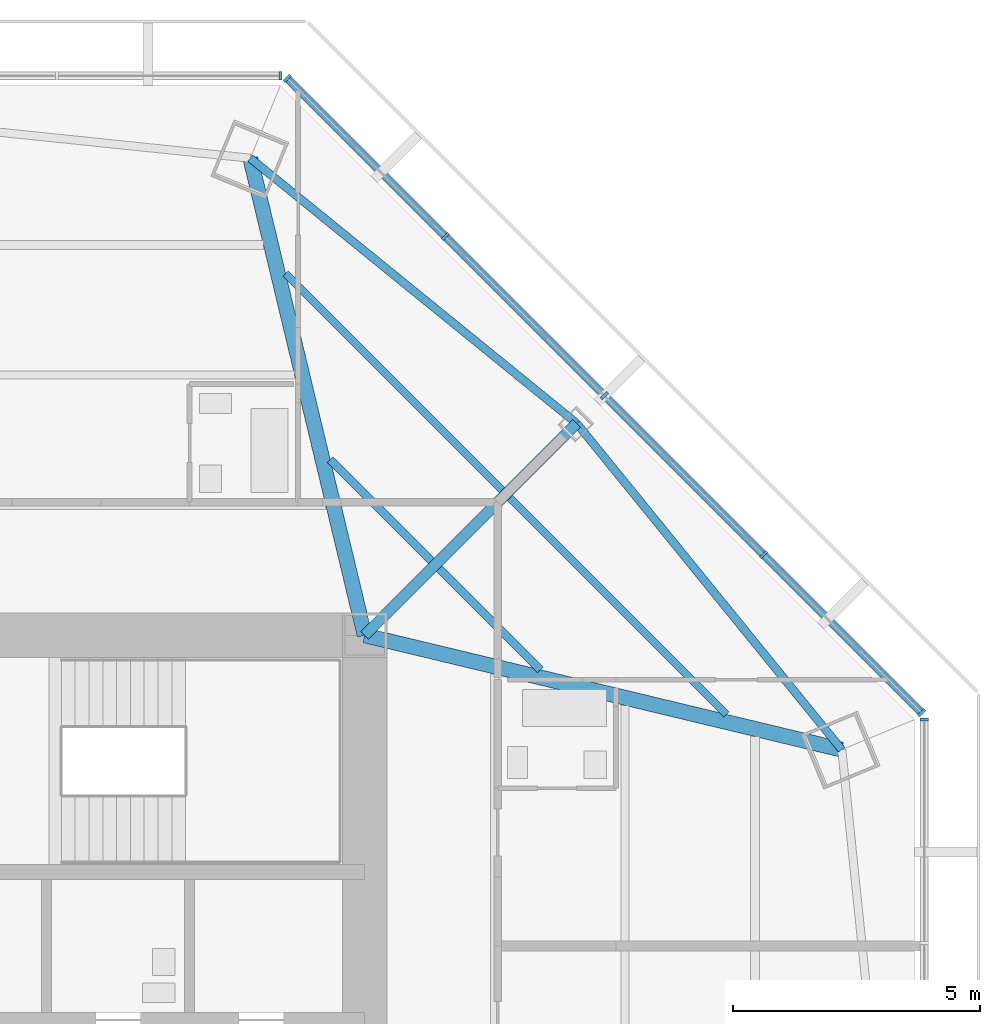
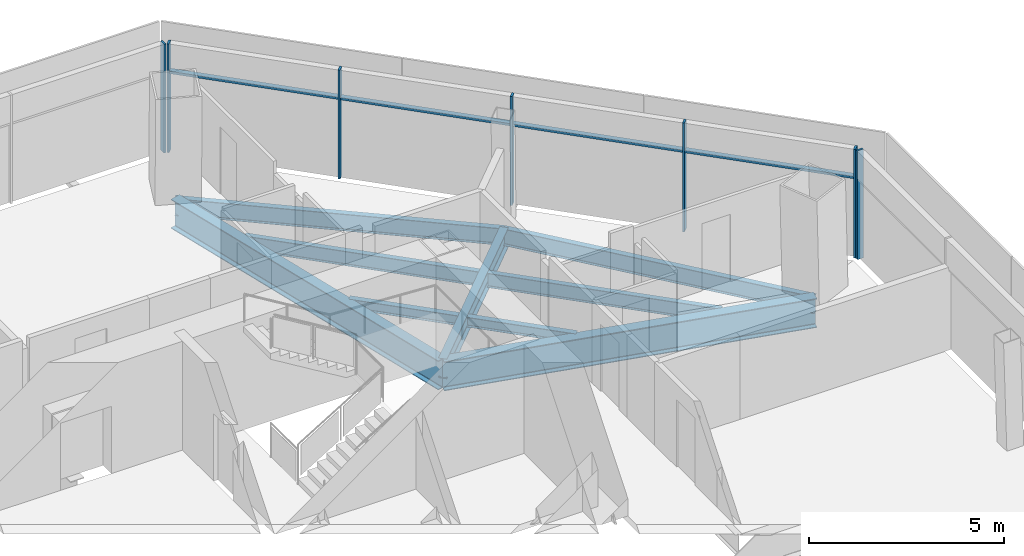
# One storey, part 6 of 15: 11 members, 9 beams, 3 elements without a shape of their own.
"""IFC4 building model written with IfcOpenShell, lengths in metres."""

from ifc_helpers import new_model, si_unit, direction, frame, origin, origin_2d, place, context, subcontext, project, spatial, rectangle, i_section, extrude, source, transform, mapped, material, material_profile, profile_set, type_object, type_shapes, element, aggregate, save


model = new_model("IFC4")

# Units and contexts
model_context = context("Model", 3, precision=1e-05, world=origin(), true_north=direction((0.0, 1.0)))
body_context = subcontext(model_context, "Body", "Model", "MODEL_VIEW")
ifc_project = project(units=[si_unit("LENGTHUNIT", "METRE"), si_unit("AREAUNIT", "SQUARE_METRE"), si_unit("VOLUMEUNIT", "CUBIC_METRE"), si_unit("PLANEANGLEUNIT", "RADIAN"), si_unit("MASSUNIT", "GRAM", prefix="KILO")], contexts=[model_context])

# Site, building, storey
site_placement = place(None, origin())
site = spatial("IfcSite", under=ifc_project, at=site_placement, CompositionType="ELEMENT")
building_placement = place(site_placement, origin())
building = spatial("IfcBuilding", under=site, at=building_placement, Name="Mashrafa Tower", CompositionType="ELEMENT")
storey_placement = place(building_placement, frame((0.0, 0.0, 207.39990234375)))
storey = spatial("IfcBuildingStorey", under=building, at=storey_placement, Name="L47", CompositionType="ELEMENT", Elevation=207.39990234375)

# Beams
ifc_material_1 = material(Name="Steel ASTM A992", Category="steel")
ifc_material_profile_1 = material_profile(ifc_material_1, i_section(OverallWidth=0.164794921875, OverallDepth=0.309814453125, WebThickness=0.005859375, FlangeThickness=0.009765625, FilletRadius=0.007568359375, at=origin_2d()), Name="W12X26")
ifc_profile_set_1 = profile_set([ifc_material_profile_1], Name="Steel ASTM A992")
beam_type_1 = type_object("IfcBeamType", Name="Beam W12X26", PredefinedType="BEAM", material=ifc_profile_set_1)
for number, where, z_axis, x_axis, name in (
    (1, (10.1025390625, 14.36328125, -0.354736328125), (0.707148897198, -0.707064662666, 0.0), (0.707064662666, 0.707148897198, 0.0), "Floor beam L47 027"),
    (2, (12.31396484375, 12.152099609375, -0.354736328125), (0.707064662666, -0.707148897198, 0.0), (0.707148897198, 0.707064662666, 0.0), "Floor beam L47 030"),
):
    element("IfcBeam", number, at=place(storey_placement, frame(where, z_axis=z_axis, x_axis=x_axis)), inside=storey, type_object=beam_type_1, Name=name, PredefinedType="BEAM", context=body_context, shape_type="SweptSolid", body=[
        extrude(i_section(OverallWidth=0.164794921875, OverallDepth=0.309814453125, WebThickness=0.005859375, FlangeThickness=0.009765625, FilletRadius=0.007568359375, at=origin_2d()), origin(), (0.0, 0.0, 1.0), 2.8984375),
    ])
ifc_material_2 = material(Name="Steel ASTM A992", Category="steel")
ifc_material_profile_2 = material_profile(ifc_material_2, i_section(OverallWidth=0.15234375, OverallDepth=0.449462890625, WebThickness=0.007568359375, FlangeThickness=0.0107421875, FilletRadius=0.01025390625, at=origin_2d()), Name="W18X35")
ifc_profile_set_2 = profile_set([ifc_material_profile_2], Name="Steel ASTM A992")
beam_type_2 = type_object("IfcBeamType", Name="Beam W18X35", PredefinedType="BEAM", material=ifc_profile_set_2)
for number, where, z_axis, x_axis, name in (
    (3, (9.19921875, 18.133056640625, -0.4248046875), (0.707106781187, -0.707106781187, 0.0), (0.707106781187, 0.707106781187, 0.0), "Floor beam L47 025"),
    (4, (13.7470703125, 13.585205078125, -0.4248046875), (0.707106781187, -0.707106781187, 0.0), (0.707106781187, 0.707106781187, 0.0), "Floor beam L47 034"),
):
    element("IfcBeam", number, at=place(storey_placement, frame(where, z_axis=z_axis, x_axis=x_axis)), inside=storey, type_object=beam_type_2, Name=name, PredefinedType="BEAM", context=body_context, shape_type="SweptSolid", body=[
        extrude(i_section(OverallWidth=0.15234375, OverallDepth=0.449462890625, WebThickness=0.007568359375, FlangeThickness=0.0107421875, FilletRadius=0.01025390625, at=origin_2d()), origin(), (0.0, 0.0, 1.0), 6.20263671875),
    ])
ifc_material_3 = material(Name="Steel ASTM A992", Category="steel")
ifc_material_profile_3 = material_profile(ifc_material_3, i_section(OverallWidth=0.1650390625, OverallDepth=0.52587890625, WebThickness=0.0087890625, FlangeThickness=0.011474609375, FilletRadius=0.0126953125, at=origin_2d()), Name="W21X44")
ifc_profile_set_3 = profile_set([ifc_material_profile_3], Name="Steel ASTM A992")
beam_type_3 = type_object("IfcBeamType", Name="Beam W21X44", PredefinedType="BEAM", material=ifc_profile_set_3)
for number, where, z_axis, x_axis, name in (
    (5, (15.09912109375, 15.09912109375, -0.462890625), (-0.7761761822, 0.630516085588, 0.0), (-0.630516085588, -0.7761761822, 0.0), "Spandrel beam L47 069"),
    (6, (20.47509765625, 8.481201171875, -0.462890625), (-0.630516085588, 0.7761761822, 0.0), (-0.7761761822, -0.630516085588, 0.0), "Spandrel beam L47 071"),
):
    element("IfcBeam", number, at=place(storey_placement, frame(where, z_axis=z_axis, x_axis=x_axis)), inside=storey, type_object=beam_type_3, Name=name, PredefinedType="BEAM", context=body_context, shape_type="SweptSolid", body=[
        extrude(i_section(OverallWidth=0.1650390625, OverallDepth=0.52587890625, WebThickness=0.0087890625, FlangeThickness=0.011474609375, FilletRadius=0.0126953125, at=origin_2d()), origin(), (0.0, 0.0, 1.0), 8.5263671875),
    ])
ifc_material_4 = material(Name="Steel ASTM A992", Category="steel")
ifc_material_profile_4 = material_profile(ifc_material_4, i_section(OverallWidth=0.22900390625, OverallDepth=0.612060546875, WebThickness=0.011962890625, FlangeThickness=0.01953125, FilletRadius=0.0126953125, at=origin_2d()), Name="W24X84")
ifc_profile_set_4 = profile_set([ifc_material_profile_4], Name="Steel ASTM A992")
beam_type_4 = type_object("IfcBeamType", Name="Beam W24X84", PredefinedType="BEAM", material=ifc_profile_set_4)
beam_placement = place(storey_placement, frame((10.800048828125, 10.800048828125, -0.505859375), z_axis=(0.707106781187, 0.707106781187, 0.0), x_axis=(-0.707106781187, 0.707106781187, 0.0)))
element("IfcBeam", 7, at=beam_placement, inside=storey, type_object=beam_type_4, Name="Radial girder L47 055", PredefinedType="BEAM", context=body_context, shape_type="SweptSolid", body=[
    extrude(i_section(OverallWidth=0.22900390625, OverallDepth=0.612060546875, WebThickness=0.011962890625, FlangeThickness=0.01953125, FilletRadius=0.0126953125, at=origin_2d()), origin(), (0.0, 0.0, 1.0), 6.079833984375),
])
ifc_material_5 = material(Name="Steel ASTM A992", Category="steel")
ifc_material_profile_5 = material_profile(ifc_material_5, i_section(OverallWidth=0.3046875, OverallDepth=0.911865234375, WebThickness=0.015869140625, FlangeThickness=0.02392578125, FilletRadius=0.01904296875, at=origin_2d()), Name="W36X150")
ifc_profile_set_5 = profile_set([ifc_material_profile_5], Name="Steel ASTM A992")
beam_type_5 = type_object("IfcBeamType", Name="Beam W36X150", PredefinedType="BEAM", material=ifc_profile_set_5)
for number, where, z_axis, x_axis, name in (
    (8, (10.800048828125, 10.800048828125, -0.65576171875), (-0.233072235426, 0.972459424898, 0.0), (-0.972459424898, -0.233072235426, 0.0), "Radial girder L47 054"),
    (9, (10.800048828125, 10.800048828125, -0.65576171875), (0.972459424898, -0.233072235426, 0.0), (0.233072235426, 0.972459424898, 0.0), "Radial girder L47 056"),
):
    element("IfcBeam", number, at=place(storey_placement, frame(where, z_axis=z_axis, x_axis=x_axis)), inside=storey, type_object=beam_type_5, Name=name, PredefinedType="BEAM", context=body_context, shape_type="SweptSolid", body=[
        extrude(i_section(OverallWidth=0.3046875, OverallDepth=0.911865234375, WebThickness=0.015869140625, FlangeThickness=0.02392578125, FilletRadius=0.01904296875, at=origin_2d()), origin(), (0.0, 0.0, 1.0), 9.948974609375),
    ])

# Curtain wall, member
ifc_material_6 = material(Name="Unitised aluminium curtain wall", Category="aluminium")
curtain_wall_type = type_object("IfcCurtainWallType", Name="Apartment curtain wall, zone 3 CW-C 180 deep", PredefinedType="NOTDEFINED", material=ifc_material_6)
curtain_wall_1_placement = place(storey_placement, origin())
curtain_wall_1 = element("IfcCurtainWall", 10, at=curtain_wall_1_placement, inside=storey, type_object=curtain_wall_type, Name="Apartment curtain wall, zone 3 L47 east", PredefinedType="NOTDEFINED")
ifc_material_7 = material(Name="Extruded aluminium mullion", Category="aluminium")
ifc_material_profile_6 = material_profile(ifc_material_7, rectangle(XDim=0.179931640625, YDim=0.06005859375, at=origin_2d()), Name="Mullion 60x180")
ifc_profile_set_6 = profile_set([ifc_material_profile_6], Name="Extruded aluminium mullion")
member_type_1 = type_object("IfcMemberType", Name="Mullion CW-C 60 x 180", PredefinedType="MULLION", material=ifc_profile_set_6)
shared_shape_1 = source(origin(), body_context, "Body", "SweptSolid", [
    extrude(rectangle(XDim=0.179931640625, YDim=0.06005859375, at=origin_2d()), origin(), (0.0, 0.0, 1.0), 3.400146484375),
])
type_shapes(member_type_1, [shared_shape_1])
member_1_placement = place(storey_placement, frame((22.147705078125, 9.0966796875, 0.0), z_axis=(0.0, 0.0, 1.0), x_axis=(-1.0, 0.0, 0.0)))
member_1 = element("IfcMember", 11, at=member_1_placement, type_object=member_type_1, Name="CW-C mullion 5", PredefinedType="MULLION", context=body_context, shape_type="MappedRepresentation", body=[
    mapped(shared_shape_1, transform((0.0, 0.0, 0.0))),
])
aggregate(curtain_wall_1, [member_1])

# Curtain wall, members
curtain_wall_2_placement = place(storey_placement, origin())
curtain_wall_2 = element("IfcCurtainWall", 12, at=curtain_wall_2_placement, inside=storey, type_object=curtain_wall_type, Name="Apartment curtain wall, zone 3 L47 north-east", PredefinedType="NOTDEFINED")
member_2_placement = place(storey_placement, frame((22.093017578125, 9.228515625, 0.0), z_axis=(0.0, 0.0, 1.0), x_axis=(-0.707106781187, -0.707106781187, 0.0)))
member_2 = element("IfcMember", 13, at=member_2_placement, type_object=member_type_1, Name="CW-C mullion 1", PredefinedType="MULLION", context=body_context, shape_type="MappedRepresentation", body=[
    mapped(shared_shape_1, transform((0.0, 0.0, 0.0))),
])
member_3_placement = place(storey_placement, frame((18.887451171875, 12.43408203125, 0.0), z_axis=(0.0, 0.0, 1.0), x_axis=(-0.707106781187, -0.707106781187, 0.0)))
member_3 = element("IfcMember", 14, at=member_3_placement, type_object=member_type_1, Name="CW-C mullion 2", PredefinedType="MULLION", context=body_context, shape_type="MappedRepresentation", body=[
    mapped(shared_shape_1, transform((0.0, 0.0, 0.0))),
])
member_4_placement = place(storey_placement, frame((15.66064453125, 15.66064453125, 0.0), z_axis=(0.0, 0.0, 1.0), x_axis=(-0.707106781187, -0.707106781187, 0.0)))
member_4 = element("IfcMember", 15, at=member_4_placement, type_object=member_type_1, Name="CW-C mullion 3", PredefinedType="MULLION", context=body_context, shape_type="MappedRepresentation", body=[
    mapped(shared_shape_1, transform((0.0, 0.0, 0.0))),
])
member_5_placement = place(storey_placement, frame((12.43408203125, 18.887451171875, 0.0), z_axis=(0.0, 0.0, 1.0), x_axis=(-0.707106781187, -0.707106781187, 0.0)))
member_5 = element("IfcMember", 16, at=member_5_placement, type_object=member_type_1, Name="CW-C mullion 4", PredefinedType="MULLION", context=body_context, shape_type="MappedRepresentation", body=[
    mapped(shared_shape_1, transform((0.0, 0.0, 0.0))),
])
member_6_placement = place(storey_placement, frame((9.228515625, 22.093017578125, 0.0), z_axis=(0.0, 0.0, 1.0), x_axis=(-0.707106781187, -0.707106781187, 0.0)))
member_6 = element("IfcMember", 17, at=member_6_placement, type_object=member_type_1, Name="CW-C mullion 5", PredefinedType="MULLION", context=body_context, shape_type="MappedRepresentation", body=[
    mapped(shared_shape_1, transform((0.0, 0.0, 0.0))),
])

# Curtain wall, member
curtain_wall_3_placement = place(storey_placement, origin())
curtain_wall_3 = element("IfcCurtainWall", 18, at=curtain_wall_3_placement, inside=storey, type_object=curtain_wall_type, Name="Apartment curtain wall, zone 3 L47 north", PredefinedType="NOTDEFINED")
member_7_placement = place(storey_placement, frame((9.0966796875, 22.147705078125, 0.0), z_axis=(0.0, 0.0, 1.0), x_axis=(0.0, -1.0, 0.0)))
member_7 = element("IfcMember", 19, at=member_7_placement, type_object=member_type_1, Name="CW-C mullion 1", PredefinedType="MULLION", context=body_context, shape_type="MappedRepresentation", body=[
    mapped(shared_shape_1, transform((0.0, 0.0, 0.0))),
])
aggregate(curtain_wall_3, [member_7])

# Member
ifc_material_8 = material(Name="Extruded aluminium transom", Category="aluminium")
ifc_material_profile_7 = material_profile(ifc_material_8, rectangle(XDim=0.14404296875, YDim=0.074951171875, at=origin_2d()), Name="Transom 75x144")
ifc_profile_set_7 = profile_set([ifc_material_profile_7], Name="Extruded aluminium transom")
member_type_2 = type_object("IfcMemberType", Name="Transom CW-C 75 x 144", PredefinedType="MULLION", material=ifc_profile_set_7)
shared_shape_2 = source(origin(), body_context, "Body", "SweptSolid", [
    extrude(rectangle(XDim=0.14404296875, YDim=0.074951171875, at=origin_2d()), origin(), (0.0, 0.0, 1.0), 4.473388671875),
])
member_8_placement = place(storey_placement, frame((22.07177734375, 9.249755859375, 2.5), z_axis=(-0.707106781187, 0.707106781187, 0.0), x_axis=(-0.707106781187, -0.707106781187, 0.0)))
member_8 = element("IfcMember", 20, at=member_8_placement, type_object=member_type_2, Name="CW-C transom 1", PredefinedType="MULLION", context=body_context, shape_type="MappedRepresentation", body=[
    mapped(shared_shape_2, transform((0.0, 0.0, 0.0))),
])

member_9_placement = place(storey_placement, frame((12.412841796875, 18.90869140625, 2.5), z_axis=(-0.707106781187, 0.707106781187, 0.0), x_axis=(-0.707106781187, -0.707106781187, 0.0)))
member_9 = element("IfcMember", 21, at=member_9_placement, type_object=member_type_2, Name="CW-C transom 4", PredefinedType="MULLION", context=body_context, shape_type="MappedRepresentation", body=[
    mapped(shared_shape_2, transform((0.0, 0.0, 0.0))),
])

shared_shape_3 = source(origin(), body_context, "Body", "SweptSolid", [
    extrude(rectangle(XDim=0.14404296875, YDim=0.074951171875, at=origin_2d()), origin(), (0.0, 0.0, 1.0), 4.50341796875),
])
type_shapes(member_type_2, [shared_shape_2, shared_shape_3])
member_10_placement = place(storey_placement, frame((18.8662109375, 12.455322265625, 2.5), z_axis=(-0.707106781187, 0.707106781187, 0.0), x_axis=(-0.707106781187, -0.707106781187, 0.0)))
member_10 = element("IfcMember", 22, at=member_10_placement, type_object=member_type_2, Name="CW-C transom 2", PredefinedType="MULLION", context=body_context, shape_type="MappedRepresentation", body=[
    mapped(shared_shape_3, transform((0.0, 0.0, 0.0))),
])

member_11_placement = place(storey_placement, frame((15.6396484375, 15.681884765625, 2.5), z_axis=(-0.707106781187, 0.707106781187, 0.0), x_axis=(-0.707106781187, -0.707106781187, 0.0)))
member_11 = element("IfcMember", 23, at=member_11_placement, type_object=member_type_2, Name="CW-C transom 3", PredefinedType="MULLION", context=body_context, shape_type="MappedRepresentation", body=[
    mapped(shared_shape_3, transform((0.0, 0.0, 0.0))),
])

aggregate(curtain_wall_2, [member_2, member_3, member_4, member_5, member_6, member_8, member_10, member_11, member_9])

save(model, "model.ifc")
